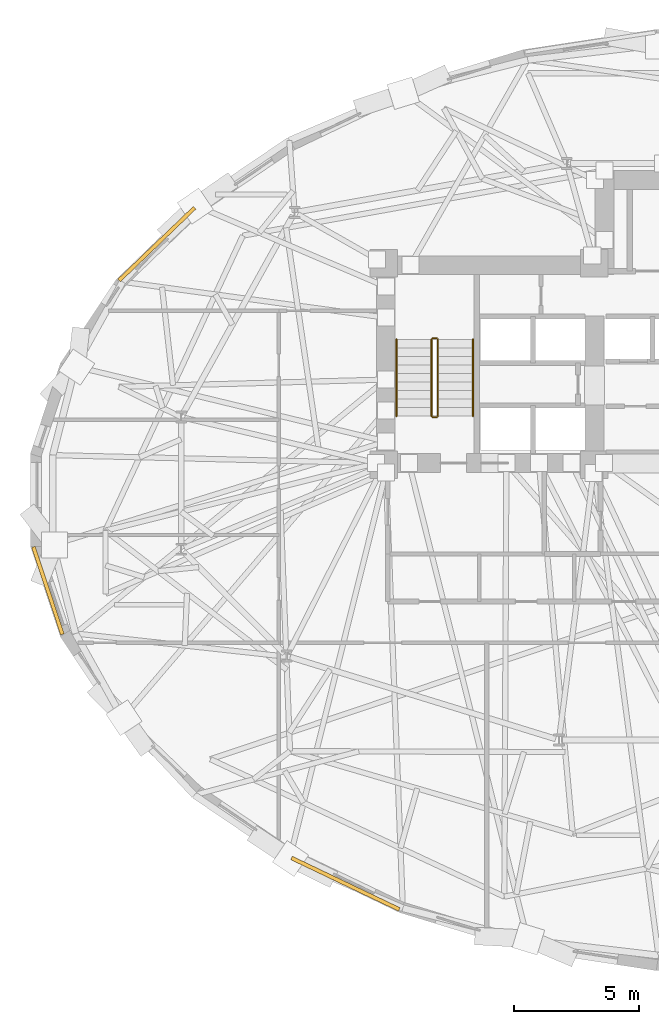
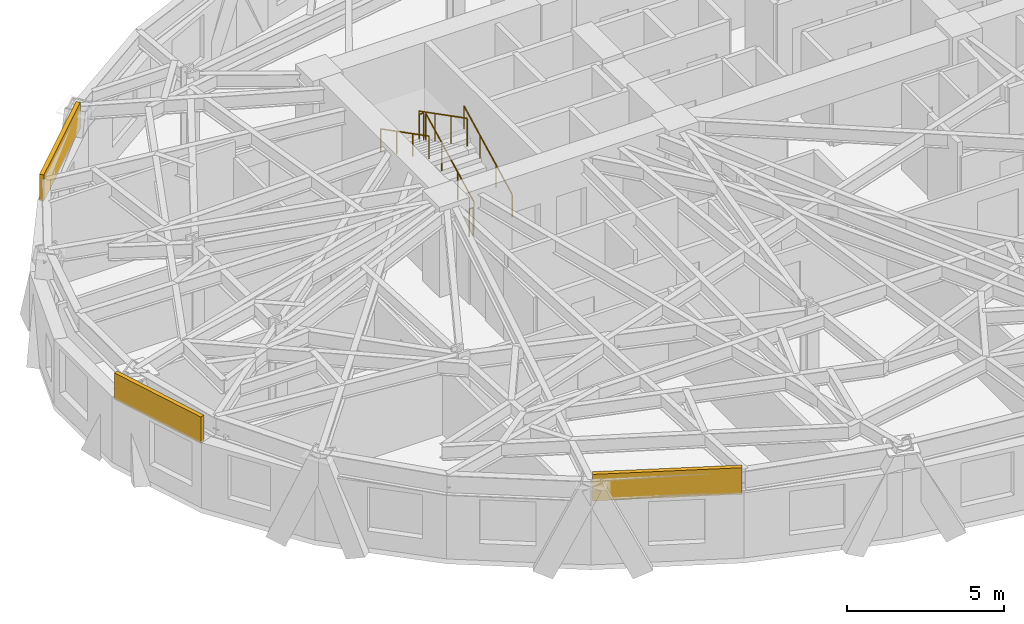
# One storey, part 12 of 15: 6 railings, 3 coverings.
"""IFC4 building model written with IfcOpenShell, lengths in metres."""

from ifc_helpers import new_model, si_unit, direction, frame, origin, origin_2d, place, context, subcontext, project, spatial, rectangle, circle, extrude, material, layer, layer_set, type_object, element, save


model = new_model("IFC4")

# Units and contexts
model_context = context("Model", 3, precision=1e-05, world=origin(), true_north=direction((0.0, 1.0)))
body_context = subcontext(model_context, "Body", "Model", "MODEL_VIEW")
ifc_project = project(units=[si_unit("LENGTHUNIT", "METRE"), si_unit("AREAUNIT", "SQUARE_METRE"), si_unit("VOLUMEUNIT", "CUBIC_METRE"), si_unit("PLANEANGLEUNIT", "RADIAN"), si_unit("MASSUNIT", "GRAM", prefix="KILO")], contexts=[model_context])

# Site, building, storey
site_placement = place(None, origin())
site = spatial("IfcSite", under=ifc_project, at=site_placement, CompositionType="ELEMENT")
building_placement = place(site_placement, origin())
building = spatial("IfcBuilding", under=site, at=building_placement, Name="Keldmark Tower", CompositionType="ELEMENT")
storey_placement = place(building_placement, frame((0.0, 0.0, 110.60009765625)))
storey = spatial("IfcBuildingStorey", under=building, at=storey_placement, Name="L29", CompositionType="ELEMENT", Elevation=110.60009765625)

# Coverings
ifc_material_1 = material(Name="Honed Kasota Buff Dolomitic Limestone", Category="masonry")
ifc_layer = layer(ifc_material_1, 0.074951171875)
ifc_layer_set = layer_set([ifc_layer], Name="Honed Kasota Buff Dolomitic Limestone")
covering_type = type_object("IfcCoveringType", Name="Kasota Buff Limestone Spandrel Cladding Band", PredefinedType="CLADDING", material=ifc_layer_set)
covering_1_placement = place(storey_placement, frame((-22.6650390625, 10.21630859375, 2.45166015625), z_axis=(0.0, 0.0, 1.0), x_axis=(-0.720587417127, -0.693364099357, 0.0)))
element("IfcCovering", 1, at=covering_1_placement, inside=storey, type_object=covering_type, Name="L29 Kasota Limestone Spandrel Band 13", PredefinedType="CLADDING", context=body_context, shape_type="SweptSolid", body=[
    extrude(rectangle(XDim=4.186767578125, YDim=0.14990234375, at=origin_2d()), origin(), (0.0, 0.0, 1.0), 1.028076171875),
])
covering_2_placement = place(storey_placement, frame((-27.0146484375, -3.617919921875, 2.45166015625), z_axis=(0.0, 0.0, 1.0), x_axis=(0.314290711278, -0.949326787152, 0.0)))
element("IfcCovering", 2, at=covering_2_placement, inside=storey, type_object=covering_type, Name="L29 Kasota Limestone Spandrel Band 17", PredefinedType="CLADDING", context=body_context, shape_type="SweptSolid", body=[
    extrude(rectangle(XDim=3.67578125, YDim=0.14990234375, at=origin_2d()), origin(), (0.0, 0.0, 1.0), 1.028076171875),
])
covering_3_placement = place(storey_placement, frame((-15.139892578125, -15.31689453125, 2.45166015625), z_axis=(0.0, 0.0, 1.0), x_axis=(0.902367267498, -0.430967881109, 0.0)))
element("IfcCovering", 3, at=covering_3_placement, inside=storey, type_object=covering_type, Name="L29 Kasota Limestone Spandrel Band 21", PredefinedType="CLADDING", context=body_context, shape_type="SweptSolid", body=[
    extrude(rectangle(XDim=4.76171875, YDim=0.14990234375, at=origin_2d()), origin(), (0.0, 0.0, 1.0), 1.028076171875),
])

# Railings
ifc_material_2 = material(Name="Painted Steel ASTM A500 Grade B", Category="steel")
railing_type_1 = type_object("IfcRailingType", Name="Painted Steel Stair Well Guard 1100 mm", PredefinedType="GUARDRAIL", material=ifc_material_2)
railing_1_placement = place(storey_placement, frame((-11.449951171875, 3.35009765625, 0.1748046875)))
element("IfcRailing", 4, at=railing_1_placement, inside=storey, type_object=railing_type_1, Name="L29 ST1 stair guard 1", PredefinedType="GUARDRAIL", context=body_context, shape_type="SweptSolid", body=[
    extrude(circle(Radius=0.02392578125, at=origin_2d()), frame((0.0, 0.0, 1.076171875), z_axis=(0.0, 0.889101422983, 0.457710235465), x_axis=(-1.0, 0.0, 0.0)), (0.0, 0.0, 1.0), 3.44140625),
    extrude(circle(Radius=0.02099609375, at=origin_2d()), origin(), (0.0, 0.0, 1.0), 1.052001953125),
    extrude(circle(Radius=0.02099609375, at=origin_2d()), frame((0.0, 1.02001953125, 0.525146484375)), (0.0, 0.0, 1.0), 1.052001953125),
    extrude(circle(Radius=0.02099609375, at=origin_2d()), frame((0.0, 2.039794921875, 1.050048828125)), (0.0, 0.0, 1.0), 1.052001953125),
    extrude(circle(Radius=0.02099609375, at=origin_2d()), frame((0.0, 3.059814453125, 1.5751953125)), (0.0, 0.0, 1.0), 1.052001953125),
])
railing_2_placement = place(storey_placement, frame((-11.5, 6.4599609375, 1.75)))
element("IfcRailing", 5, at=railing_2_placement, inside=storey, type_object=railing_type_1, Name="L29 ST1 stair guard 2", PredefinedType="GUARDRAIL", context=body_context, shape_type="SweptSolid", body=[
    extrude(circle(Radius=0.02392578125, at=origin_2d()), frame((0.0, 0.0, 1.076171875), z_axis=(-1.0, 0.0, 0.0), x_axis=(0.0, -1.0, 0.0)), (0.0, 0.0, 1.0), 0.14990234375),
    extrude(circle(Radius=0.02099609375, at=origin_2d()), origin(), (0.0, 0.0, 1.0), 1.052001953125),
    extrude(circle(Radius=0.02099609375, at=origin_2d()), frame((-0.14990234375, 0.0, 0.0)), (0.0, 0.0, 1.0), 1.052001953125),
])
railing_3_placement = place(storey_placement, frame((-11.699951171875, 6.409912109375, 1.9248046875)))
element("IfcRailing", 6, at=railing_3_placement, inside=storey, type_object=railing_type_1, Name="L29 ST1 stair guard 3", PredefinedType="GUARDRAIL", context=body_context, shape_type="SweptSolid", body=[
    extrude(circle(Radius=0.02392578125, at=origin_2d()), frame((0.0, 0.0, 1.076171875), z_axis=(0.0, -0.889101422983, 0.457710235465), x_axis=(1.0, 0.0, 0.0)), (0.0, 0.0, 1.0), 3.44140625),
    extrude(circle(Radius=0.02099609375, at=origin_2d()), origin(), (0.0, 0.0, 1.0), 1.052001953125),
    extrude(circle(Radius=0.02099609375, at=origin_2d()), frame((0.0, -1.02001953125, 0.525146484375)), (0.0, 0.0, 1.0), 1.052001953125),
    extrude(circle(Radius=0.02099609375, at=origin_2d()), frame((0.0, -2.039794921875, 1.050048828125)), (0.0, 0.0, 1.0), 1.052001953125),
    extrude(circle(Radius=0.02099609375, at=origin_2d()), frame((0.0, -3.059814453125, 1.5751953125)), (0.0, 0.0, 1.0), 1.052001953125),
])
railing_4_placement = place(storey_placement, frame((-11.5, 3.300048828125, 0.0)))
element("IfcRailing", 7, at=railing_4_placement, inside=storey, type_object=railing_type_1, Name="L29 ST1 stair guard 4", PredefinedType="GUARDRAIL", context=body_context, shape_type="SweptSolid", body=[
    extrude(circle(Radius=0.02392578125, at=origin_2d()), frame((0.0, 0.0, 1.076171875), z_axis=(-1.0, 0.0, 0.0), x_axis=(0.0, -1.0, 0.0)), (0.0, 0.0, 1.0), 0.14990234375),
    extrude(circle(Radius=0.02099609375, at=origin_2d()), origin(), (0.0, 0.0, 1.0), 1.052001953125),
    extrude(circle(Radius=0.02099609375, at=origin_2d()), frame((-0.14990234375, 0.0, 0.0)), (0.0, 0.0, 1.0), 1.052001953125),
])
ifc_material_3 = material(Name="Stainless Steel AISI 316L", Category="steel")
railing_type_2 = type_object("IfcRailingType", Name="Stainless Steel Stair Handrail 900 mm", PredefinedType="HANDRAIL", material=ifc_material_3)
railing_5_placement = place(storey_placement, frame((-10.050048828125, 3.35009765625, 0.1748046875)))
element("IfcRailing", 8, at=railing_5_placement, inside=storey, type_object=railing_type_2, Name="L29 ST1 stair handrail 1", PredefinedType="HANDRAIL", context=body_context, shape_type="SweptSolid", body=[
    extrude(circle(Radius=0.02392578125, at=origin_2d()), frame((0.0, 0.0, 0.8759765625), z_axis=(0.0, 0.889101422983, 0.457710235465), x_axis=(-1.0, 0.0, 0.0)), (0.0, 0.0, 1.0), 3.44140625),
    extrude(circle(Radius=0.02099609375, at=origin_2d()), origin(), (0.0, 0.0, 1.0), 0.851806640625),
    extrude(circle(Radius=0.02099609375, at=origin_2d()), frame((0.0, 1.02001953125, 0.525146484375)), (0.0, 0.0, 1.0), 0.851806640625),
    extrude(circle(Radius=0.02099609375, at=origin_2d()), frame((0.0, 2.039794921875, 1.050048828125)), (0.0, 0.0, 1.0), 0.851806640625),
    extrude(circle(Radius=0.02099609375, at=origin_2d()), frame((0.0, 3.059814453125, 1.5751953125)), (0.0, 0.0, 1.0), 0.851806640625),
])
railing_6_placement = place(storey_placement, frame((-13.10009765625, 6.409912109375, 1.9248046875)))
element("IfcRailing", 9, at=railing_6_placement, inside=storey, type_object=railing_type_2, Name="L29 ST1 stair handrail 2", PredefinedType="HANDRAIL", context=body_context, shape_type="SweptSolid", body=[
    extrude(circle(Radius=0.02392578125, at=origin_2d()), frame((0.0, 0.0, 0.8759765625), z_axis=(0.0, -0.889101422983, 0.457710235465), x_axis=(1.0, 0.0, 0.0)), (0.0, 0.0, 1.0), 3.44140625),
    extrude(circle(Radius=0.02099609375, at=origin_2d()), origin(), (0.0, 0.0, 1.0), 0.851806640625),
    extrude(circle(Radius=0.02099609375, at=origin_2d()), frame((0.0, -1.02001953125, 0.525146484375)), (0.0, 0.0, 1.0), 0.851806640625),
    extrude(circle(Radius=0.02099609375, at=origin_2d()), frame((0.0, -2.039794921875, 1.050048828125)), (0.0, 0.0, 1.0), 0.851806640625),
    extrude(circle(Radius=0.02099609375, at=origin_2d()), frame((0.0, -3.059814453125, 1.5751953125)), (0.0, 0.0, 1.0), 0.851806640625),
])

save(model, "model.ifc")
